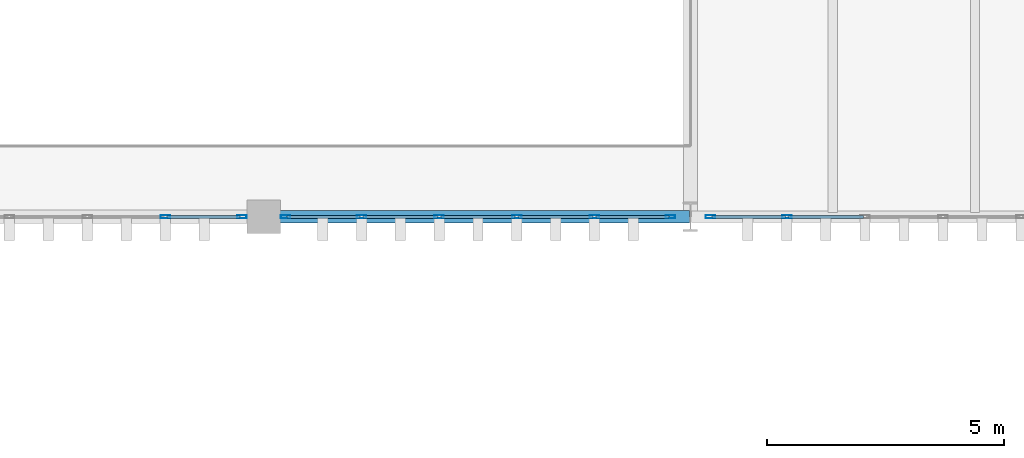
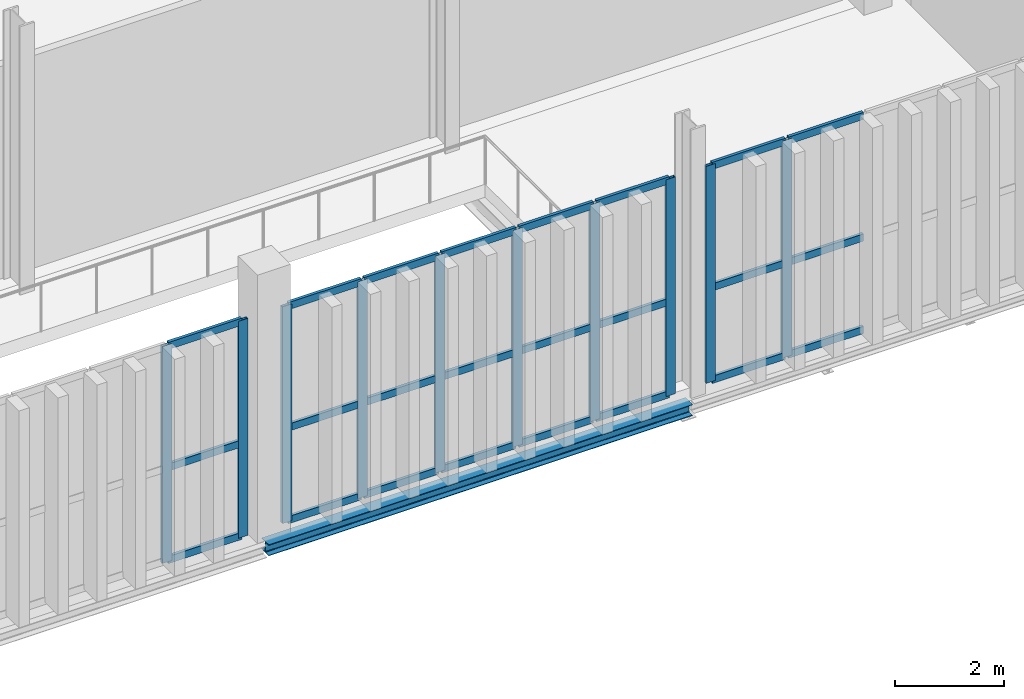
# One storey, part 83 of 237: 34 members, 1 beam, 3 elements without a shape of their own.
"""IFC4 building model written with IfcOpenShell, lengths in metres."""

import ifcopenshell
import ifcopenshell.guid

model = None  # the IFC model being written
_history = None  # IfcOwnerHistory: only IFC2X3 demands one
_inside = {}  # id of a spatial element -> (the spatial element, [elements in it])
_under = {}  # id of a project, library or spatial element -> (it, [spatial elements below it])
_declared = {}  # id of a project -> (the project, [libraries it declares])
_typed = {}  # id of a type object -> (the type object, [elements of that type])
_made_of = {}  # id of a material, layer set ... -> (it, [elements and type objects made of it])


def new_model(schema):
    """Start an empty IFC model of exactly this schema.

    Asked for "IFC4X3", IfcOpenShell would pick the latest addendum, in which some entities
    have other attributes; the version numbers below select the first issue.
    IFC2X3 requires an IfcOwnerHistory on every rooted entity: one is made here for all.
    """
    global model, _history
    if schema == "IFC4X3":
        model = ifcopenshell.file(schema_version=(4, 3, 0, 0))
    else:
        model = ifcopenshell.file(schema=schema)
    _inside.clear()
    _under.clear()
    _declared.clear()
    _typed.clear()
    _made_of.clear()
    _history = None
    if model.schema == "IFC2X3":
        org = make("IfcOrganization", Name="unknown")
        user = make(
            "IfcPersonAndOrganization",
            ThePerson=make("IfcPerson", FamilyName="unknown"),
            TheOrganization=org,
        )
        app = make(
            "IfcApplication",
            ApplicationDeveloper=org,
            Version="unknown",
            ApplicationFullName="unknown",
            ApplicationIdentifier="unknown",
        )
        _history = make(
            "IfcOwnerHistory",
            OwningUser=user,
            OwningApplication=app,
            ChangeAction="ADDED",
            CreationDate=0,
        )
    return model


def make(cls, **values):
    """One entity of the class cls with the attributes given. An attribute that is None is left unset."""
    return model.create_entity(
        cls, **{name: value for name, value in values.items() if value is not None}
    )


def rooted(cls, **values):
    """An entity with a GlobalId (a new one), such as an element, a storey or a relation."""
    return make(cls, GlobalId=ifcopenshell.guid.new(), OwnerHistory=_history, **values)


def si_unit(unit_type, name, prefix=None):
    """IfcSIUnit, for example si_unit("LENGTHUNIT", "METRE", prefix="MILLI")."""
    return make("IfcSIUnit", UnitType=unit_type, Prefix=prefix, Name=name)


def assignment(units):
    """IfcUnitAssignment: the units of a project."""
    return None if units is None else make("IfcUnitAssignment", Units=units)


def point(xyz):
    """IfcCartesianPoint."""
    return None if xyz is None else make("IfcCartesianPoint", Coordinates=xyz)


def direction(xyz):
    """IfcDirection."""
    return None if xyz is None else make("IfcDirection", DirectionRatios=xyz)


def frame(location, z_axis=None, x_axis=None):
    """IfcAxis2Placement3D, a coordinate frame: its origin and axes. An axis left out is left unset."""
    return make(
        "IfcAxis2Placement3D",
        Location=point(location),
        Axis=direction(z_axis),
        RefDirection=direction(x_axis),
    )


def frame_2d(location, x_axis=None):
    """IfcAxis2Placement2D, a coordinate frame in the plane: its origin and x axis."""
    return make(
        "IfcAxis2Placement2D", Location=point(location), RefDirection=direction(x_axis)
    )


def origin():
    """The frame at (0, 0, 0) with its axes left unset."""
    return frame((0.0, 0.0, 0.0))


def origin_2d():
    """The frame at (0, 0) in the plane with its x axis left unset."""
    return frame_2d((0.0, 0.0))


def place(relative_to, where):
    """IfcLocalPlacement: puts the frame where relative to a parent placement (None: the world)."""
    return make(
        "IfcLocalPlacement", PlacementRelTo=relative_to, RelativePlacement=where
    )


def context(
    kind, dimensions, precision=None, world=None, true_north=None, identifier=None
):
    """IfcGeometricRepresentationContext, for example the 3D "Model" context."""
    return make(
        "IfcGeometricRepresentationContext",
        ContextIdentifier=identifier,
        ContextType=kind,
        CoordinateSpaceDimension=dimensions,
        Precision=precision,
        WorldCoordinateSystem=world,
        TrueNorth=true_north,
    )


def subcontext(parent, identifier, kind, view, scale=None):
    """IfcGeometricRepresentationSubContext, for example "Body" below "Model"."""
    return make(
        "IfcGeometricRepresentationSubContext",
        ContextIdentifier=identifier,
        ContextType=kind,
        ParentContext=parent,
        TargetScale=scale,
        TargetView=view,
    )


def project(units=None, contexts=None):
    """IfcProject with its units and contexts."""
    return rooted(
        "IfcProject",
        Name="project",
        RepresentationContexts=contexts,
        UnitsInContext=assignment(units),
    )


def spatial(cls, under=None, at=None, **own):
    """A site, building, storey or space (cls), placed at a placement, below another one or the project."""
    s = rooted(cls, ObjectPlacement=at, **own)
    if under is not None:
        _under.setdefault(under.id(), (under, []))[1].append(s)
    return s


def profile(cls, at=None, kind="AREA", **sizes):
    """A parametric profile (cls). Its sizes go by their IFC names, for example OverallWidth=200.0."""
    return make(cls, ProfileType=kind, Position=at, **sizes)


def hollow_rectangle(**sizes):
    """IfcRectangleHollowProfileDef."""
    return profile("IfcRectangleHollowProfileDef", **sizes)


def i_section(**sizes):
    """IfcIShapeProfileDef."""
    return profile("IfcIShapeProfileDef", **sizes)


def extrude(swept, where, along, depth):
    """IfcExtrudedAreaSolid: the profile swept, set in the frame where, extruded along a direction by depth."""
    return make(
        "IfcExtrudedAreaSolid",
        SweptArea=swept,
        Position=where,
        ExtrudedDirection=direction(along),
        Depth=depth,
    )


def shape(context_of_items, identifier, shape_type, items):
    """IfcShapeRepresentation: the items that make up one representation, for example the "Body"."""
    return make(
        "IfcShapeRepresentation",
        ContextOfItems=context_of_items,
        RepresentationIdentifier=identifier,
        RepresentationType=shape_type,
        Items=items,
    )


def material(Name=None, Category=None):
    """IfcMaterial."""
    return make("IfcMaterial", Name=Name, Category=Category)


def layer(
    of_material, thickness, ventilated=None, Name=None, Category=None, Priority=None
):
    """IfcMaterialLayer: one layer of a wall or slab, of a material (None: an air gap)."""
    return make(
        "IfcMaterialLayer",
        Material=of_material,
        LayerThickness=thickness,
        IsVentilated=ventilated,
        Name=Name,
        Category=Category,
        Priority=Priority,
    )


def layer_set(layers, Name=None):
    """IfcMaterialLayerSet."""
    return make("IfcMaterialLayerSet", MaterialLayers=layers, LayerSetName=Name)


def material_profile(
    of_material, cross_section, Name=None, Category=None, Priority=None
):
    """IfcMaterialProfile: a cross section and its material."""
    return make(
        "IfcMaterialProfile",
        Name=Name,
        Material=of_material,
        Profile=cross_section,
        Priority=Priority,
        Category=Category,
    )


def profile_set(profiles, Name=None, composite=None):
    """IfcMaterialProfileSet."""
    return make(
        "IfcMaterialProfileSet",
        Name=Name,
        MaterialProfiles=profiles,
        CompositeProfile=composite,
    )


def made_of(thing, what):
    """Note that an element or type object is made of a material, layer set ...; save() writes the relation."""
    if what is not None:
        _made_of.setdefault(what.id(), (what, []))[1].append(thing)
    return thing


def type_object(cls, material=None, **own):
    """A type object (cls), such as IfcWallType, which elements share."""
    return made_of(rooted(cls, **own), material)


def element(
    cls,
    number,
    at=None,
    inside=None,
    cuts=None,
    type_object=None,
    material=None,
    context=None,
    identifier="Body",
    shape_type=None,
    held_by="IfcProductDefinitionShape",
    body=None,
    shapes=None,
    **own,
):
    """One element of the class cls, such as IfcWall. Its Tag is "e" and its number.

    at: its placement. inside: the storey or other place that contains it. cuts: it is an
    opening in that element (IfcRelVoidsElement). A single representation is given by context,
    identifier, shape_type and body (its items); several are given by shapes. held_by: the class
    of the entity that holds the representations. save() writes the other relations.
    """
    e = rooted(cls, Tag="e%d" % number, ObjectPlacement=at, **own)
    if body is not None:
        shapes = [shape(context, identifier, shape_type, body)]
    if shapes is not None:
        e.Representation = make(held_by, Representations=shapes)
    if inside is not None:
        _inside.setdefault(inside.id(), (inside, []))[1].append(e)
    if cuts is not None:
        rooted(
            "IfcRelVoidsElement", RelatingBuildingElement=cuts, RelatedOpeningElement=e
        )
    if type_object is not None:
        _typed.setdefault(type_object.id(), (type_object, []))[1].append(e)
    return made_of(e, material)


def aggregate(whole, parts):
    """IfcRelAggregates: a whole, such as a stair, and the parts it consists of."""
    return rooted("IfcRelAggregates", RelatingObject=whole, RelatedObjects=parts)


def save(model, path):
    """Write the relations noted so far, then the file.

    IfcRelAggregates (storeys below a building ...), IfcRelContainedInSpatialStructure (elements
    in a storey), IfcRelDefinesByType, IfcRelAssociatesMaterial and IfcRelDeclares: one each for
    every whole, place, type object, material and project.
    """
    for whole, parts in _under.values():
        aggregate(whole, parts)
    for where, things in _inside.values():
        rooted(
            "IfcRelContainedInSpatialStructure",
            RelatedElements=things,
            RelatingStructure=where,
        )
    for kind, things in _typed.values():
        rooted("IfcRelDefinesByType", RelatedObjects=things, RelatingType=kind)
    for what, things in _made_of.values():
        rooted("IfcRelAssociatesMaterial", RelatedObjects=things, RelatingMaterial=what)
    for by, libraries in _declared.values():
        rooted("IfcRelDeclares", RelatingContext=by, RelatedDefinitions=libraries)
    model.write(path)


model = new_model("IFC4")

# Units and contexts
model_context = context("Model", 3, precision=1e-05, world=origin(), true_north=direction((0.0, 1.0)))
body_context = subcontext(model_context, "Body", "Model", "MODEL_VIEW")
ifc_project = project(units=[si_unit("LENGTHUNIT", "METRE"), si_unit("AREAUNIT", "SQUARE_METRE"), si_unit("VOLUMEUNIT", "CUBIC_METRE"), si_unit("PLANEANGLEUNIT", "RADIAN"), si_unit("MASSUNIT", "GRAM", prefix="KILO")], contexts=[model_context])

# Site, building, storey
site_placement = place(None, origin())
site = spatial("IfcSite", under=ifc_project, at=site_placement, CompositionType="ELEMENT")
building_placement = place(site_placement, origin())
building = spatial("IfcBuilding", under=site, at=building_placement, Name="Barlavento Convention Centre", CompositionType="ELEMENT")
storey_placement = place(building_placement, frame((0.0, 0.0, 12.0)))
storey = spatial("IfcBuildingStorey", under=building, at=storey_placement, Name="L02", CompositionType="ELEMENT", Elevation=12.0)

# Curtain wall, members
ifc_material_1 = material(Name="Powder-coated aluminium and Low-E glass", Category="aluminium")
ifc_layer = layer(ifc_material_1, 0.195068359375)
ifc_layer_set = layer_set([ifc_layer], Name="ARC-CW-BALL-L02")
curtain_wall_type = type_object("IfcCurtainWallType", Name="ARC-CW-BALL-L02", PredefinedType="NOTDEFINED", material=ifc_layer_set)
curtain_wall_1_placement = place(storey_placement, origin())
curtain_wall_1 = element("IfcCurtainWall", 1, at=curtain_wall_1_placement, inside=storey, type_object=curtain_wall_type, Name="L02 unitised curtain wall CW07", PredefinedType="NOTDEFINED")
ifc_material_2 = material(Name="Powder-coated aluminium", Category="aluminium")
ifc_material_profile_1 = material_profile(ifc_material_2, hollow_rectangle(XDim=0.06494140625, YDim=0.199951171875, WallThickness=0.0048828125, at=origin_2d()), Name="AL-MULL 65x200x5")
ifc_profile_set_1 = profile_set([ifc_material_profile_1], Name="Powder-coated aluminium")
member_type_1 = type_object("IfcMemberType", Name="ARC-CWM-65X200", PredefinedType="MULLION", material=ifc_profile_set_1)
member_1_placement = place(storey_placement, frame((96.92431640625, 45.0, 0.0), z_axis=(0.0, 0.0, 1.0), x_axis=(0.0, 1.0, 0.0)))
member_1 = element("IfcMember", 2, at=member_1_placement, type_object=member_type_1, Name="CW07 mullion 5", PredefinedType="MULLION", context=body_context, shape_type="SweptSolid", body=[
    extrude(hollow_rectangle(XDim=0.06494140625, YDim=0.199951171875, WallThickness=0.0048828125, at=origin_2d()), origin(), (0.0, 0.0, 1.0), 4.85009765625),
])
member_2_placement = place(storey_placement, frame((98.53759765625, 45.0, 0.0), z_axis=(0.0, 0.0, 1.0), x_axis=(0.0, 1.0, 0.0)))
member_2 = element("IfcMember", 3, at=member_2_placement, type_object=member_type_1, Name="CW07 mullion 6", PredefinedType="MULLION", context=body_context, shape_type="SweptSolid", body=[
    extrude(hollow_rectangle(XDim=0.06494140625, YDim=0.199951171875, WallThickness=0.0048828125, at=origin_2d()), origin(), (0.0, 0.0, 1.0), 4.85009765625),
])

curtain_wall_2_placement = place(storey_placement, origin())
curtain_wall_2 = element("IfcCurtainWall", 4, at=curtain_wall_2_placement, inside=storey, type_object=curtain_wall_type, Name="L02 unitised curtain wall CW07", PredefinedType="NOTDEFINED")
member_3_placement = place(storey_placement, frame((99.46240234375, 45.0, 0.0), z_axis=(0.0, 0.0, 1.0), x_axis=(0.0, 1.0, 0.0)))
member_3 = element("IfcMember", 5, at=member_3_placement, type_object=member_type_1, Name="CW07 mullion 1", PredefinedType="MULLION", context=body_context, shape_type="SweptSolid", body=[
    extrude(hollow_rectangle(XDim=0.06494140625, YDim=0.199951171875, WallThickness=0.0048828125, at=origin_2d()), origin(), (0.0, 0.0, 1.0), 4.85009765625),
])
member_4_placement = place(storey_placement, frame((101.06591796875, 45.0, 0.0), z_axis=(0.0, 0.0, 1.0), x_axis=(0.0, 1.0, 0.0)))
member_4 = element("IfcMember", 6, at=member_4_placement, type_object=member_type_1, Name="CW07 mullion 2", PredefinedType="MULLION", context=body_context, shape_type="SweptSolid", body=[
    extrude(hollow_rectangle(XDim=0.06494140625, YDim=0.199951171875, WallThickness=0.0048828125, at=origin_2d()), origin(), (0.0, 0.0, 1.0), 4.85009765625),
])
member_5_placement = place(storey_placement, frame((102.701904296875, 45.0, 0.0), z_axis=(0.0, 0.0, 1.0), x_axis=(0.0, 1.0, 0.0)))
member_5 = element("IfcMember", 7, at=member_5_placement, type_object=member_type_1, Name="CW07 mullion 3", PredefinedType="MULLION", context=body_context, shape_type="SweptSolid", body=[
    extrude(hollow_rectangle(XDim=0.06494140625, YDim=0.199951171875, WallThickness=0.0048828125, at=origin_2d()), origin(), (0.0, 0.0, 1.0), 4.85009765625),
])
member_6_placement = place(storey_placement, frame((104.337890625, 45.0, 0.0), z_axis=(0.0, 0.0, 1.0), x_axis=(0.0, 1.0, 0.0)))
member_6 = element("IfcMember", 8, at=member_6_placement, type_object=member_type_1, Name="CW07 mullion 4", PredefinedType="MULLION", context=body_context, shape_type="SweptSolid", body=[
    extrude(hollow_rectangle(XDim=0.06494140625, YDim=0.199951171875, WallThickness=0.0048828125, at=origin_2d()), origin(), (0.0, 0.0, 1.0), 4.85009765625),
])
member_7_placement = place(storey_placement, frame((105.97412109375, 45.0, 0.0), z_axis=(0.0, 0.0, 1.0), x_axis=(0.0, 1.0, 0.0)))
member_7 = element("IfcMember", 9, at=member_7_placement, type_object=member_type_1, Name="CW07 mullion 5", PredefinedType="MULLION", context=body_context, shape_type="SweptSolid", body=[
    extrude(hollow_rectangle(XDim=0.06494140625, YDim=0.199951171875, WallThickness=0.0048828125, at=origin_2d()), origin(), (0.0, 0.0, 1.0), 4.85009765625),
])
member_8_placement = place(storey_placement, frame((107.577392578125, 45.0, 0.0), z_axis=(0.0, 0.0, 1.0), x_axis=(0.0, 1.0, 0.0)))
member_8 = element("IfcMember", 10, at=member_8_placement, type_object=member_type_1, Name="CW07 mullion 6", PredefinedType="MULLION", context=body_context, shape_type="SweptSolid", body=[
    extrude(hollow_rectangle(XDim=0.06494140625, YDim=0.199951171875, WallThickness=0.0048828125, at=origin_2d()), origin(), (0.0, 0.0, 1.0), 4.85009765625),
])

curtain_wall_3_placement = place(storey_placement, origin())
curtain_wall_3 = element("IfcCurtainWall", 11, at=curtain_wall_3_placement, inside=storey, type_object=curtain_wall_type, Name="L02 unitised curtain wall CW07", PredefinedType="NOTDEFINED")
member_9_placement = place(storey_placement, frame((108.422607421875, 45.0, 0.0), z_axis=(0.0, 0.0, 1.0), x_axis=(0.0, 1.0, 0.0)))
member_9 = element("IfcMember", 12, at=member_9_placement, type_object=member_type_1, Name="CW07 mullion 1", PredefinedType="MULLION", context=body_context, shape_type="SweptSolid", body=[
    extrude(hollow_rectangle(XDim=0.06494140625, YDim=0.199951171875, WallThickness=0.0048828125, at=origin_2d()), origin(), (0.0, 0.0, 1.0), 4.85009765625),
])
member_10_placement = place(storey_placement, frame((110.035888671875, 45.0, 0.0), z_axis=(0.0, 0.0, 1.0), x_axis=(0.0, 1.0, 0.0)))
member_10 = element("IfcMember", 13, at=member_10_placement, type_object=member_type_1, Name="CW07 mullion 2", PredefinedType="MULLION", context=body_context, shape_type="SweptSolid", body=[
    extrude(hollow_rectangle(XDim=0.06494140625, YDim=0.199951171875, WallThickness=0.0048828125, at=origin_2d()), origin(), (0.0, 0.0, 1.0), 4.85009765625),
])

# Member
ifc_material_profile_2 = material_profile(ifc_material_2, hollow_rectangle(XDim=0.06494140625, YDim=0.159912109375, WallThickness=0.0048828125, at=origin_2d()), Name="AL-TRAN 65x160x5")
ifc_profile_set_2 = profile_set([ifc_material_profile_2], Name="Powder-coated aluminium")
member_type_2 = type_object("IfcMemberType", Name="ARC-CWT-65X160", PredefinedType="USERDEFINED", material=ifc_profile_set_2)
member_11_placement = place(storey_placement, frame((96.956787109375, 45.0, 0.032470703125), z_axis=(1.0, 0.0, 0.0), x_axis=(0.0, 1.0, 0.0)))
member_11 = element("IfcMember", 14, at=member_11_placement, type_object=member_type_2, Name="CW07 transom 5.1", ObjectType="TRANSOM", PredefinedType="USERDEFINED", context=body_context, shape_type="SweptSolid", body=[
    extrude(hollow_rectangle(XDim=0.06494140625, YDim=0.159912109375, WallThickness=0.0048828125, at=origin_2d()), origin(), (0.0, 0.0, 1.0), 1.548095703125),
])

member_12_placement = place(storey_placement, frame((96.956787109375, 45.0, 2.10009765625), z_axis=(1.0, 0.0, 0.0), x_axis=(0.0, 1.0, 0.0)))
member_12 = element("IfcMember", 15, at=member_12_placement, type_object=member_type_2, Name="CW07 transom 5.2", ObjectType="TRANSOM", PredefinedType="USERDEFINED", context=body_context, shape_type="SweptSolid", body=[
    extrude(hollow_rectangle(XDim=0.06494140625, YDim=0.159912109375, WallThickness=0.0048828125, at=origin_2d()), origin(), (0.0, 0.0, 1.0), 1.548095703125),
])

member_13_placement = place(storey_placement, frame((96.956787109375, 45.0, 4.8173828125), z_axis=(1.0, 0.0, 0.0), x_axis=(0.0, 1.0, 0.0)))
member_13 = element("IfcMember", 16, at=member_13_placement, type_object=member_type_2, Name="CW07 transom 5.3", ObjectType="TRANSOM", PredefinedType="USERDEFINED", context=body_context, shape_type="SweptSolid", body=[
    extrude(hollow_rectangle(XDim=0.06494140625, YDim=0.159912109375, WallThickness=0.0048828125, at=origin_2d()), origin(), (0.0, 0.0, 1.0), 1.548095703125),
])

aggregate(curtain_wall_1, [member_1, member_2, member_11, member_12, member_13])

member_14_placement = place(storey_placement, frame((99.4951171875, 45.0, 0.032470703125), z_axis=(1.0, 0.0, 0.0), x_axis=(0.0, 1.0, 0.0)))
member_14 = element("IfcMember", 17, at=member_14_placement, type_object=member_type_2, Name="CW07 transom 1.1", ObjectType="TRANSOM", PredefinedType="USERDEFINED", context=body_context, shape_type="SweptSolid", body=[
    extrude(hollow_rectangle(XDim=0.06494140625, YDim=0.159912109375, WallThickness=0.0048828125, at=origin_2d()), origin(), (0.0, 0.0, 1.0), 1.538330078125),
])

member_15_placement = place(storey_placement, frame((99.4951171875, 45.0, 2.10009765625), z_axis=(1.0, 0.0, 0.0), x_axis=(0.0, 1.0, 0.0)))
member_15 = element("IfcMember", 18, at=member_15_placement, type_object=member_type_2, Name="CW07 transom 1.2", ObjectType="TRANSOM", PredefinedType="USERDEFINED", context=body_context, shape_type="SweptSolid", body=[
    extrude(hollow_rectangle(XDim=0.06494140625, YDim=0.159912109375, WallThickness=0.0048828125, at=origin_2d()), origin(), (0.0, 0.0, 1.0), 1.538330078125),
])

member_16_placement = place(storey_placement, frame((99.4951171875, 45.0, 4.8173828125), z_axis=(1.0, 0.0, 0.0), x_axis=(0.0, 1.0, 0.0)))
member_16 = element("IfcMember", 19, at=member_16_placement, type_object=member_type_2, Name="CW07 transom 1.3", ObjectType="TRANSOM", PredefinedType="USERDEFINED", context=body_context, shape_type="SweptSolid", body=[
    extrude(hollow_rectangle(XDim=0.06494140625, YDim=0.159912109375, WallThickness=0.0048828125, at=origin_2d()), origin(), (0.0, 0.0, 1.0), 1.538330078125),
])

member_17_placement = place(storey_placement, frame((101.098388671875, 45.0, 0.032470703125), z_axis=(1.0, 0.0, 0.0), x_axis=(0.0, 1.0, 0.0)))
member_17 = element("IfcMember", 20, at=member_17_placement, type_object=member_type_2, Name="CW07 transom 2.1", ObjectType="TRANSOM", PredefinedType="USERDEFINED", context=body_context, shape_type="SweptSolid", body=[
    extrude(hollow_rectangle(XDim=0.06494140625, YDim=0.159912109375, WallThickness=0.0048828125, at=origin_2d()), origin(), (0.0, 0.0, 1.0), 1.571044921875),
])

member_18_placement = place(storey_placement, frame((101.098388671875, 45.0, 2.10009765625), z_axis=(1.0, 0.0, 0.0), x_axis=(0.0, 1.0, 0.0)))
member_18 = element("IfcMember", 21, at=member_18_placement, type_object=member_type_2, Name="CW07 transom 2.2", ObjectType="TRANSOM", PredefinedType="USERDEFINED", context=body_context, shape_type="SweptSolid", body=[
    extrude(hollow_rectangle(XDim=0.06494140625, YDim=0.159912109375, WallThickness=0.0048828125, at=origin_2d()), origin(), (0.0, 0.0, 1.0), 1.571044921875),
])

member_19_placement = place(storey_placement, frame((101.098388671875, 45.0, 4.8173828125), z_axis=(1.0, 0.0, 0.0), x_axis=(0.0, 1.0, 0.0)))
member_19 = element("IfcMember", 22, at=member_19_placement, type_object=member_type_2, Name="CW07 transom 2.3", ObjectType="TRANSOM", PredefinedType="USERDEFINED", context=body_context, shape_type="SweptSolid", body=[
    extrude(hollow_rectangle(XDim=0.06494140625, YDim=0.159912109375, WallThickness=0.0048828125, at=origin_2d()), origin(), (0.0, 0.0, 1.0), 1.571044921875),
])

member_20_placement = place(storey_placement, frame((102.734619140625, 45.0, 0.032470703125), z_axis=(1.0, 0.0, 0.0), x_axis=(0.0, 1.0, 0.0)))
member_20 = element("IfcMember", 23, at=member_20_placement, type_object=member_type_2, Name="CW07 transom 3.1", ObjectType="TRANSOM", PredefinedType="USERDEFINED", context=body_context, shape_type="SweptSolid", body=[
    extrude(hollow_rectangle(XDim=0.06494140625, YDim=0.159912109375, WallThickness=0.0048828125, at=origin_2d()), origin(), (0.0, 0.0, 1.0), 1.57080078125),
])

member_21_placement = place(storey_placement, frame((102.734619140625, 45.0, 2.10009765625), z_axis=(1.0, 0.0, 0.0), x_axis=(0.0, 1.0, 0.0)))
member_21 = element("IfcMember", 24, at=member_21_placement, type_object=member_type_2, Name="CW07 transom 3.2", ObjectType="TRANSOM", PredefinedType="USERDEFINED", context=body_context, shape_type="SweptSolid", body=[
    extrude(hollow_rectangle(XDim=0.06494140625, YDim=0.159912109375, WallThickness=0.0048828125, at=origin_2d()), origin(), (0.0, 0.0, 1.0), 1.57080078125),
])

member_22_placement = place(storey_placement, frame((102.734619140625, 45.0, 4.8173828125), z_axis=(1.0, 0.0, 0.0), x_axis=(0.0, 1.0, 0.0)))
member_22 = element("IfcMember", 25, at=member_22_placement, type_object=member_type_2, Name="CW07 transom 3.3", ObjectType="TRANSOM", PredefinedType="USERDEFINED", context=body_context, shape_type="SweptSolid", body=[
    extrude(hollow_rectangle(XDim=0.06494140625, YDim=0.159912109375, WallThickness=0.0048828125, at=origin_2d()), origin(), (0.0, 0.0, 1.0), 1.57080078125),
])

member_23_placement = place(storey_placement, frame((104.37060546875, 45.0, 0.032470703125), z_axis=(1.0, 0.0, 0.0), x_axis=(0.0, 1.0, 0.0)))
member_23 = element("IfcMember", 26, at=member_23_placement, type_object=member_type_2, Name="CW07 transom 4.1", ObjectType="TRANSOM", PredefinedType="USERDEFINED", context=body_context, shape_type="SweptSolid", body=[
    extrude(hollow_rectangle(XDim=0.06494140625, YDim=0.159912109375, WallThickness=0.0048828125, at=origin_2d()), origin(), (0.0, 0.0, 1.0), 1.57080078125),
])

member_24_placement = place(storey_placement, frame((104.37060546875, 45.0, 2.10009765625), z_axis=(1.0, 0.0, 0.0), x_axis=(0.0, 1.0, 0.0)))
member_24 = element("IfcMember", 27, at=member_24_placement, type_object=member_type_2, Name="CW07 transom 4.2", ObjectType="TRANSOM", PredefinedType="USERDEFINED", context=body_context, shape_type="SweptSolid", body=[
    extrude(hollow_rectangle(XDim=0.06494140625, YDim=0.159912109375, WallThickness=0.0048828125, at=origin_2d()), origin(), (0.0, 0.0, 1.0), 1.57080078125),
])

member_25_placement = place(storey_placement, frame((104.37060546875, 45.0, 4.8173828125), z_axis=(1.0, 0.0, 0.0), x_axis=(0.0, 1.0, 0.0)))
member_25 = element("IfcMember", 28, at=member_25_placement, type_object=member_type_2, Name="CW07 transom 4.3", ObjectType="TRANSOM", PredefinedType="USERDEFINED", context=body_context, shape_type="SweptSolid", body=[
    extrude(hollow_rectangle(XDim=0.06494140625, YDim=0.159912109375, WallThickness=0.0048828125, at=origin_2d()), origin(), (0.0, 0.0, 1.0), 1.57080078125),
])

member_26_placement = place(storey_placement, frame((106.006591796875, 45.0, 0.032470703125), z_axis=(1.0, 0.0, 0.0), x_axis=(0.0, 1.0, 0.0)))
member_26 = element("IfcMember", 29, at=member_26_placement, type_object=member_type_2, Name="CW07 transom 5.1", ObjectType="TRANSOM", PredefinedType="USERDEFINED", context=body_context, shape_type="SweptSolid", body=[
    extrude(hollow_rectangle(XDim=0.06494140625, YDim=0.159912109375, WallThickness=0.0048828125, at=origin_2d()), origin(), (0.0, 0.0, 1.0), 1.538330078125),
])

member_27_placement = place(storey_placement, frame((106.006591796875, 45.0, 2.10009765625), z_axis=(1.0, 0.0, 0.0), x_axis=(0.0, 1.0, 0.0)))
member_27 = element("IfcMember", 30, at=member_27_placement, type_object=member_type_2, Name="CW07 transom 5.2", ObjectType="TRANSOM", PredefinedType="USERDEFINED", context=body_context, shape_type="SweptSolid", body=[
    extrude(hollow_rectangle(XDim=0.06494140625, YDim=0.159912109375, WallThickness=0.0048828125, at=origin_2d()), origin(), (0.0, 0.0, 1.0), 1.538330078125),
])

member_28_placement = place(storey_placement, frame((106.006591796875, 45.0, 4.8173828125), z_axis=(1.0, 0.0, 0.0), x_axis=(0.0, 1.0, 0.0)))
member_28 = element("IfcMember", 31, at=member_28_placement, type_object=member_type_2, Name="CW07 transom 5.3", ObjectType="TRANSOM", PredefinedType="USERDEFINED", context=body_context, shape_type="SweptSolid", body=[
    extrude(hollow_rectangle(XDim=0.06494140625, YDim=0.159912109375, WallThickness=0.0048828125, at=origin_2d()), origin(), (0.0, 0.0, 1.0), 1.538330078125),
])

aggregate(curtain_wall_2, [member_3, member_4, member_5, member_6, member_7, member_8, member_14, member_15, member_16, member_17, member_18, member_19, member_20, member_21, member_22, member_23, member_24, member_25, member_26, member_27, member_28])

member_29_placement = place(storey_placement, frame((108.455078125, 45.0, 0.032470703125), z_axis=(1.0, 0.0, 0.0), x_axis=(0.0, 1.0, 0.0)))
member_29 = element("IfcMember", 32, at=member_29_placement, type_object=member_type_2, Name="CW07 transom 1.1", ObjectType="TRANSOM", PredefinedType="USERDEFINED", context=body_context, shape_type="SweptSolid", body=[
    extrude(hollow_rectangle(XDim=0.06494140625, YDim=0.159912109375, WallThickness=0.0048828125, at=origin_2d()), origin(), (0.0, 0.0, 1.0), 1.54833984375),
])

member_30_placement = place(storey_placement, frame((108.455078125, 45.0, 2.10009765625), z_axis=(1.0, 0.0, 0.0), x_axis=(0.0, 1.0, 0.0)))
member_30 = element("IfcMember", 33, at=member_30_placement, type_object=member_type_2, Name="CW07 transom 1.2", ObjectType="TRANSOM", PredefinedType="USERDEFINED", context=body_context, shape_type="SweptSolid", body=[
    extrude(hollow_rectangle(XDim=0.06494140625, YDim=0.159912109375, WallThickness=0.0048828125, at=origin_2d()), origin(), (0.0, 0.0, 1.0), 1.54833984375),
])

member_31_placement = place(storey_placement, frame((108.455078125, 45.0, 4.8173828125), z_axis=(1.0, 0.0, 0.0), x_axis=(0.0, 1.0, 0.0)))
member_31 = element("IfcMember", 34, at=member_31_placement, type_object=member_type_2, Name="CW07 transom 1.3", ObjectType="TRANSOM", PredefinedType="USERDEFINED", context=body_context, shape_type="SweptSolid", body=[
    extrude(hollow_rectangle(XDim=0.06494140625, YDim=0.159912109375, WallThickness=0.0048828125, at=origin_2d()), origin(), (0.0, 0.0, 1.0), 1.54833984375),
])

member_32_placement = place(storey_placement, frame((110.068603515625, 45.0, 0.032470703125), z_axis=(1.0, 0.0, 0.0), x_axis=(0.0, 1.0, 0.0)))
member_32 = element("IfcMember", 35, at=member_32_placement, type_object=member_type_2, Name="CW07 transom 2.1", ObjectType="TRANSOM", PredefinedType="USERDEFINED", context=body_context, shape_type="SweptSolid", body=[
    extrude(hollow_rectangle(XDim=0.06494140625, YDim=0.159912109375, WallThickness=0.0048828125, at=origin_2d()), origin(), (0.0, 0.0, 1.0), 1.580810546875),
])

member_33_placement = place(storey_placement, frame((110.068603515625, 45.0, 2.10009765625), z_axis=(1.0, 0.0, 0.0), x_axis=(0.0, 1.0, 0.0)))
member_33 = element("IfcMember", 36, at=member_33_placement, type_object=member_type_2, Name="CW07 transom 2.2", ObjectType="TRANSOM", PredefinedType="USERDEFINED", context=body_context, shape_type="SweptSolid", body=[
    extrude(hollow_rectangle(XDim=0.06494140625, YDim=0.159912109375, WallThickness=0.0048828125, at=origin_2d()), origin(), (0.0, 0.0, 1.0), 1.580810546875),
])

member_34_placement = place(storey_placement, frame((110.068603515625, 45.0, 4.8173828125), z_axis=(1.0, 0.0, 0.0), x_axis=(0.0, 1.0, 0.0)))
member_34 = element("IfcMember", 37, at=member_34_placement, type_object=member_type_2, Name="CW07 transom 2.3", ObjectType="TRANSOM", PredefinedType="USERDEFINED", context=body_context, shape_type="SweptSolid", body=[
    extrude(hollow_rectangle(XDim=0.06494140625, YDim=0.159912109375, WallThickness=0.0048828125, at=origin_2d()), origin(), (0.0, 0.0, 1.0), 1.580810546875),
])

aggregate(curtain_wall_3, [member_9, member_10, member_29, member_30, member_31, member_32, member_33, member_34])

# Beam
ifc_material_3 = material(Name="Steel S355", Category="steel")
ifc_material_profile_3 = material_profile(ifc_material_3, i_section(OverallWidth=0.260009765625, OverallDepth=0.25, WebThickness=0.007568359375, FlangeThickness=0.012451171875, FilletRadius=0.02392578125, at=origin_2d()), Name="HEA 260")
ifc_profile_set_3 = profile_set([ifc_material_profile_3], Name="Steel S355")
beam_type = type_object("IfcBeamType", Name="STR-BM-SPN-HEA260", PredefinedType="SPANDREL", material=ifc_profile_set_3)
beam_placement = place(storey_placement, frame((99.02001953125, 45.0, -0.4150390625), z_axis=(1.0, 0.0, 0.0), x_axis=(0.0, 1.0, 0.0)))
element("IfcBeam", 38, at=beam_placement, inside=storey, type_object=beam_type, Name="L02 primary girder SP04", PredefinedType="SPANDREL", context=body_context, shape_type="SweptSolid", body=[
    extrude(i_section(OverallWidth=0.260009765625, OverallDepth=0.25, WebThickness=0.007568359375, FlangeThickness=0.012451171875, FilletRadius=0.02392578125, at=origin_2d()), origin(), (0.0, 0.0, 1.0), 8.9599609375),
])

save(model, "model.ifc")
